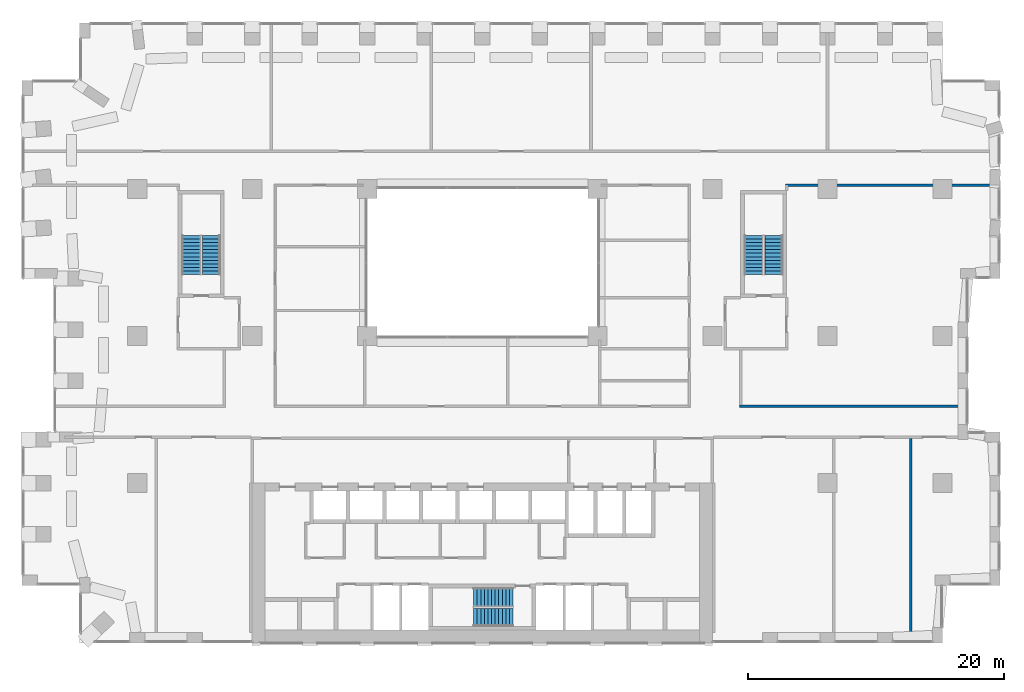
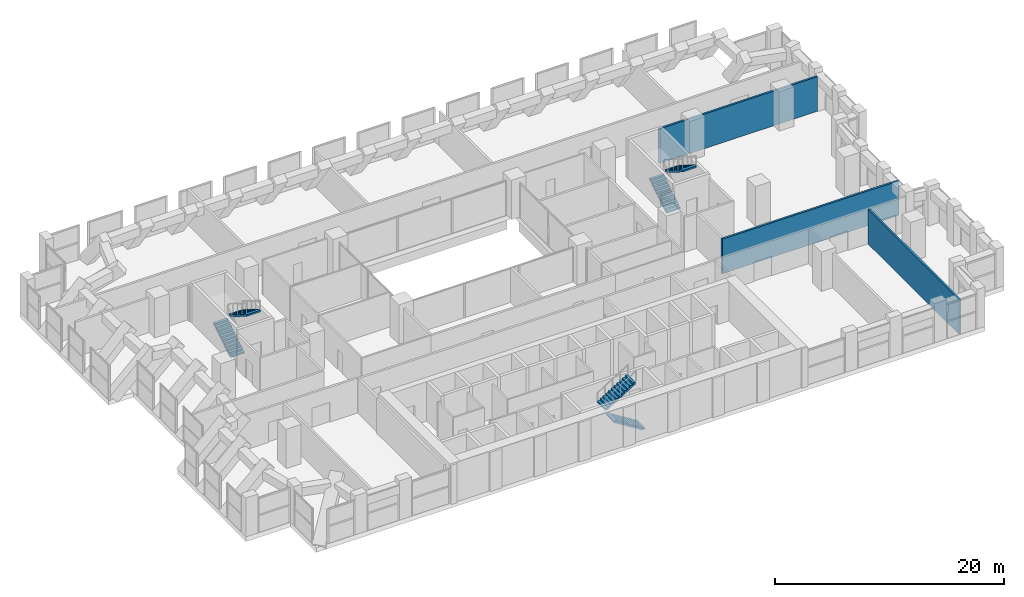
# One storey, part 19 of 20: 6 stair flights, 3 walls, 3 elements without a shape of their own.
"""IFC4 building model written with IfcOpenShell, lengths in metres."""

from ifc_helpers import new_model, si_unit, direction, frame, frame_2d, origin, place, context, subcontext, project, spatial, polyline, rectangle, outline, extrude, material, layer, layer_set, type_object, element, aggregate, save


model = new_model("IFC4")

# Units and contexts
model_context = context("Model", 3, precision=1e-05, world=origin(), true_north=direction((0.0, 1.0)))
body_context = subcontext(model_context, "Body", "Model", "MODEL_VIEW")
ifc_project = project(units=[si_unit("LENGTHUNIT", "METRE"), si_unit("AREAUNIT", "SQUARE_METRE"), si_unit("VOLUMEUNIT", "CUBIC_METRE"), si_unit("PLANEANGLEUNIT", "RADIAN"), si_unit("MASSUNIT", "GRAM", prefix="KILO")], contexts=[model_context])

# Site, building, storey
site_placement = place(None, origin())
site = spatial("IfcSite", under=ifc_project, at=site_placement, CompositionType="ELEMENT")
building_placement = place(site_placement, origin())
building = spatial("IfcBuilding", under=site, at=building_placement, Name="Brigalow Station Residences", CompositionType="ELEMENT")
storey_placement = place(building_placement, frame((0.0, 0.0, 73.050048828125)))
storey = spatial("IfcBuildingStorey", under=building, at=storey_placement, Name="L21", CompositionType="ELEMENT", Elevation=73.050048828125)

# Walls
ifc_material_1 = material(Name="Concrete blockwork", Category="masonry")
ifc_layer = layer(ifc_material_1, 0.199951171875)
ifc_layer_set = layer_set([ifc_layer], Name="FIRE RATED CORE PARTITION 200")
wall_type = type_object("IfcWallType", Name="FIRE RATED CORE PARTITION 200", PredefinedType="PARTITIONING", material=ifc_layer_set)
wall_1_placement = place(storey_placement, frame((56.10009765625, 18.5, 0.0), z_axis=(0.0, 0.0, 1.0), x_axis=(1.0, 0.0, 0.0)))
element("IfcWall", 1, at=wall_1_placement, inside=storey, type_object=wall_type, Name="PW-5162", PredefinedType="PARTITIONING", context=body_context, shape_type="SweptSolid", body=[
    extrude(rectangle(XDim=17.809814453125, YDim=0.199951171875, at=frame_2d((8.90478515625, 0.0))), origin(), (0.0, 0.0, 1.0), 3.699951171875),
])
wall_2_placement = place(storey_placement, frame((59.699951171875, 35.800048828125, 0.0), z_axis=(0.0, 0.0, 1.0), x_axis=(1.0, 0.0, 0.0)))
element("IfcWall", 2, at=wall_2_placement, inside=storey, type_object=wall_type, Name="PW-5172", PredefinedType="PARTITIONING", context=body_context, shape_type="SweptSolid", body=[
    extrude(rectangle(XDim=16.0, YDim=0.199951171875, at=frame_2d((8.0, 0.0))), origin(), (0.0, 0.0, 1.0), 3.699951171875),
])
wall_3_placement = place(storey_placement, frame((69.5, 0.090087890625, 0.0), z_axis=(0.0, 0.0, 1.0), x_axis=(0.0, 1.0, 0.0)))
element("IfcWall", 3, at=wall_3_placement, inside=storey, type_object=wall_type, Name="PW-5180", PredefinedType="PARTITIONING", context=body_context, shape_type="SweptSolid", body=[
    extrude(rectangle(XDim=15.909912109375, YDim=0.199951171875, at=frame_2d((7.955078125, 0.0))), origin(), (0.0, 0.0, 1.0), 3.699951171875),
])

# Stair, stair flights
ifc_material_2 = material(Name="Concrete C50", Category="concrete")
stair_type = type_object("IfcStairType", Name="EXIT STAIR 1400 2 FLIGHT", PredefinedType="HALF_TURN_STAIR", material=ifc_material_2)
stair_1_placement = place(storey_placement, origin())
stair_1 = element("IfcStair", 4, at=stair_1_placement, inside=storey, type_object=stair_type, Name="EXIT STAIR S2 L21", PredefinedType="HALF_TURN_STAIR")
ifc_material_3 = material(Name="Concrete C50", Category="concrete")
stair_flight_type = type_object("IfcStairFlightType", Name="STAIR FLIGHT 1400", PredefinedType="STRAIGHT", material=ifc_material_3)
stair_flight_1_placement = place(storey_placement, frame((38.39990234375, 2.0, 0.0), z_axis=(0.0, 0.0, 1.0), x_axis=(-1.0, 0.0, 0.0)))
stair_flight_1 = element("IfcStairFlight", 5, at=stair_flight_1_placement, type_object=stair_flight_type, Name="ST-2 flight 1", NumberOfRisers=12, NumberOfTreads=11, PredefinedType="STRAIGHT", RiserHeight=0.175, TreadLength=0.28, context=body_context, shape_type="SweptSolid", body=[
    extrude(outline(polyline([(0.0, 0.0), (0.0, 0.175048828125), (0.280029296875, 0.175048828125), (0.280029296875, 0.35009765625), (0.56005859375, 0.35009765625), (0.56005859375, 0.52490234375), (0.840087890625, 0.52490234375), (0.840087890625, 0.699951171875), (1.1201171875, 0.699951171875), (1.1201171875, 0.875), (1.39990234375, 0.875), (1.39990234375, 1.050048828125), (1.679931640625, 1.050048828125), (1.679931640625, 1.22509765625), (1.9599609375, 1.22509765625), (1.9599609375, 1.39990234375), (2.239990234375, 1.39990234375), (2.239990234375, 1.574951171875), (2.52001953125, 1.574951171875), (2.52001953125, 1.75), (2.800048828125, 1.75), (2.800048828125, 1.925048828125), (3.080078125, 1.925048828125), (3.080078125, 2.10009765625), (3.080078125, 1.748291015625), (0.28271484375, 0.0), (0.0, 0.0)])), frame((0.0, 0.699951171875, 0.0), z_axis=(0.0, -1.0, 0.0), x_axis=(1.0, 0.0, 0.0)), (0.0, 0.0, 1.0), 1.39990234375),
])
stair_flight_2_placement = place(storey_placement, frame((35.320068359375, 3.60009765625, 2.099853515625), z_axis=(0.0, 0.0, 1.0), x_axis=(1.0, 0.0, 0.0)))
stair_flight_2 = element("IfcStairFlight", 6, at=stair_flight_2_placement, type_object=stair_flight_type, Name="ST-2 flight 2", NumberOfRisers=12, NumberOfTreads=11, PredefinedType="STRAIGHT", RiserHeight=0.175, TreadLength=0.28, context=body_context, shape_type="SweptSolid", body=[
    extrude(outline(polyline([(0.0, 0.0), (0.0, 0.175048828125), (0.280029296875, 0.175048828125), (0.280029296875, 0.35009765625), (0.56005859375, 0.35009765625), (0.56005859375, 0.52490234375), (0.840087890625, 0.52490234375), (0.840087890625, 0.699951171875), (1.1201171875, 0.699951171875), (1.1201171875, 0.875), (1.39990234375, 0.875), (1.39990234375, 1.050048828125), (1.679931640625, 1.050048828125), (1.679931640625, 1.22509765625), (1.9599609375, 1.22509765625), (1.9599609375, 1.39990234375), (2.239990234375, 1.39990234375), (2.239990234375, 1.574951171875), (2.52001953125, 1.574951171875), (2.52001953125, 1.75), (2.800048828125, 1.75), (2.800048828125, 1.925048828125), (3.080078125, 1.925048828125), (3.080078125, 2.10009765625), (3.080078125, 1.748291015625), (0.28271484375, 0.0), (0.0, 0.0)])), frame((0.0, 0.699951171875, 0.0), z_axis=(0.0, -1.0, 0.0), x_axis=(1.0, 0.0, 0.0)), (0.0, 0.0, 1.0), 1.39990234375),
])
aggregate(stair_1, [stair_flight_1, stair_flight_2])

stair_2_placement = place(storey_placement, origin())
stair_2 = element("IfcStair", 7, at=stair_2_placement, inside=storey, type_object=stair_type, Name="EXIT STAIR S1 L21", PredefinedType="HALF_TURN_STAIR")
stair_flight_3_placement = place(storey_placement, frame((13.199951171875, 28.800048828125, 0.0), z_axis=(0.0, 0.0, 1.0), x_axis=(0.0, 1.0, 0.0)))
stair_flight_3 = element("IfcStairFlight", 8, at=stair_flight_3_placement, type_object=stair_flight_type, Name="ST-1 flight 1", NumberOfRisers=12, NumberOfTreads=11, PredefinedType="STRAIGHT", RiserHeight=0.175, TreadLength=0.28, context=body_context, shape_type="SweptSolid", body=[
    extrude(outline(polyline([(0.0, 0.0), (0.0, 0.175048828125), (0.280029296875, 0.175048828125), (0.280029296875, 0.35009765625), (0.56005859375, 0.35009765625), (0.56005859375, 0.52490234375), (0.840087890625, 0.52490234375), (0.840087890625, 0.699951171875), (1.1201171875, 0.699951171875), (1.1201171875, 0.875), (1.39990234375, 0.875), (1.39990234375, 1.050048828125), (1.679931640625, 1.050048828125), (1.679931640625, 1.22509765625), (1.9599609375, 1.22509765625), (1.9599609375, 1.39990234375), (2.239990234375, 1.39990234375), (2.239990234375, 1.574951171875), (2.52001953125, 1.574951171875), (2.52001953125, 1.75), (2.800048828125, 1.75), (2.800048828125, 1.925048828125), (3.080078125, 1.925048828125), (3.080078125, 2.10009765625), (3.080078125, 1.748291015625), (0.28271484375, 0.0), (0.0, 0.0)])), frame((0.0, 0.699951171875, 0.0), z_axis=(0.0, -1.0, 0.0), x_axis=(1.0, 0.0, 0.0)), (0.0, 0.0, 1.0), 1.39990234375),
])
stair_flight_4_placement = place(storey_placement, frame((14.800048828125, 31.8798828125, 2.099853515625), z_axis=(0.0, 0.0, 1.0), x_axis=(0.0, -1.0, 0.0)))
stair_flight_4 = element("IfcStairFlight", 9, at=stair_flight_4_placement, type_object=stair_flight_type, Name="ST-1 flight 2", NumberOfRisers=12, NumberOfTreads=11, PredefinedType="STRAIGHT", RiserHeight=0.175, TreadLength=0.28, context=body_context, shape_type="SweptSolid", body=[
    extrude(outline(polyline([(0.0, 0.0), (0.0, 0.175048828125), (0.280029296875, 0.175048828125), (0.280029296875, 0.35009765625), (0.56005859375, 0.35009765625), (0.56005859375, 0.52490234375), (0.840087890625, 0.52490234375), (0.840087890625, 0.699951171875), (1.1201171875, 0.699951171875), (1.1201171875, 0.875), (1.39990234375, 0.875), (1.39990234375, 1.050048828125), (1.679931640625, 1.050048828125), (1.679931640625, 1.22509765625), (1.9599609375, 1.22509765625), (1.9599609375, 1.39990234375), (2.239990234375, 1.39990234375), (2.239990234375, 1.574951171875), (2.52001953125, 1.574951171875), (2.52001953125, 1.75), (2.800048828125, 1.75), (2.800048828125, 1.925048828125), (3.080078125, 1.925048828125), (3.080078125, 2.10009765625), (3.080078125, 1.748291015625), (0.28271484375, 0.0), (0.0, 0.0)])), frame((0.0, 0.699951171875, 0.0), z_axis=(0.0, -1.0, 0.0), x_axis=(1.0, 0.0, 0.0)), (0.0, 0.0, 1.0), 1.39990234375),
])
aggregate(stair_2, [stair_flight_3, stair_flight_4])

stair_3_placement = place(storey_placement, origin())
stair_3 = element("IfcStair", 10, at=stair_3_placement, inside=storey, type_object=stair_type, Name="EXIT STAIR S3 L21", PredefinedType="HALF_TURN_STAIR")
stair_flight_5_placement = place(storey_placement, frame((57.199951171875, 28.800048828125, 0.0), z_axis=(0.0, 0.0, 1.0), x_axis=(0.0, 1.0, 0.0)))
stair_flight_5 = element("IfcStairFlight", 11, at=stair_flight_5_placement, type_object=stair_flight_type, Name="ST-3 flight 1", NumberOfRisers=12, NumberOfTreads=11, PredefinedType="STRAIGHT", RiserHeight=0.175, TreadLength=0.28, context=body_context, shape_type="SweptSolid", body=[
    extrude(outline(polyline([(0.0, 0.0), (0.0, 0.175048828125), (0.280029296875, 0.175048828125), (0.280029296875, 0.35009765625), (0.56005859375, 0.35009765625), (0.56005859375, 0.52490234375), (0.840087890625, 0.52490234375), (0.840087890625, 0.699951171875), (1.1201171875, 0.699951171875), (1.1201171875, 0.875), (1.39990234375, 0.875), (1.39990234375, 1.050048828125), (1.679931640625, 1.050048828125), (1.679931640625, 1.22509765625), (1.9599609375, 1.22509765625), (1.9599609375, 1.39990234375), (2.239990234375, 1.39990234375), (2.239990234375, 1.574951171875), (2.52001953125, 1.574951171875), (2.52001953125, 1.75), (2.800048828125, 1.75), (2.800048828125, 1.925048828125), (3.080078125, 1.925048828125), (3.080078125, 2.10009765625), (3.080078125, 1.748291015625), (0.28271484375, 0.0), (0.0, 0.0)])), frame((0.0, 0.699951171875, 0.0), z_axis=(0.0, -1.0, 0.0), x_axis=(1.0, 0.0, 0.0)), (0.0, 0.0, 1.0), 1.39990234375),
])
stair_flight_6_placement = place(storey_placement, frame((58.800048828125, 31.8798828125, 2.099853515625), z_axis=(0.0, 0.0, 1.0), x_axis=(0.0, -1.0, 0.0)))
stair_flight_6 = element("IfcStairFlight", 12, at=stair_flight_6_placement, type_object=stair_flight_type, Name="ST-3 flight 2", NumberOfRisers=12, NumberOfTreads=11, PredefinedType="STRAIGHT", RiserHeight=0.175, TreadLength=0.28, context=body_context, shape_type="SweptSolid", body=[
    extrude(outline(polyline([(0.0, 0.0), (0.0, 0.175048828125), (0.280029296875, 0.175048828125), (0.280029296875, 0.35009765625), (0.56005859375, 0.35009765625), (0.56005859375, 0.52490234375), (0.840087890625, 0.52490234375), (0.840087890625, 0.699951171875), (1.1201171875, 0.699951171875), (1.1201171875, 0.875), (1.39990234375, 0.875), (1.39990234375, 1.050048828125), (1.679931640625, 1.050048828125), (1.679931640625, 1.22509765625), (1.9599609375, 1.22509765625), (1.9599609375, 1.39990234375), (2.239990234375, 1.39990234375), (2.239990234375, 1.574951171875), (2.52001953125, 1.574951171875), (2.52001953125, 1.75), (2.800048828125, 1.75), (2.800048828125, 1.925048828125), (3.080078125, 1.925048828125), (3.080078125, 2.10009765625), (3.080078125, 1.748291015625), (0.28271484375, 0.0), (0.0, 0.0)])), frame((0.0, 0.699951171875, 0.0), z_axis=(0.0, -1.0, 0.0), x_axis=(1.0, 0.0, 0.0)), (0.0, 0.0, 1.0), 1.39990234375),
])
aggregate(stair_3, [stair_flight_5, stair_flight_6])

save(model, "model.ifc")
